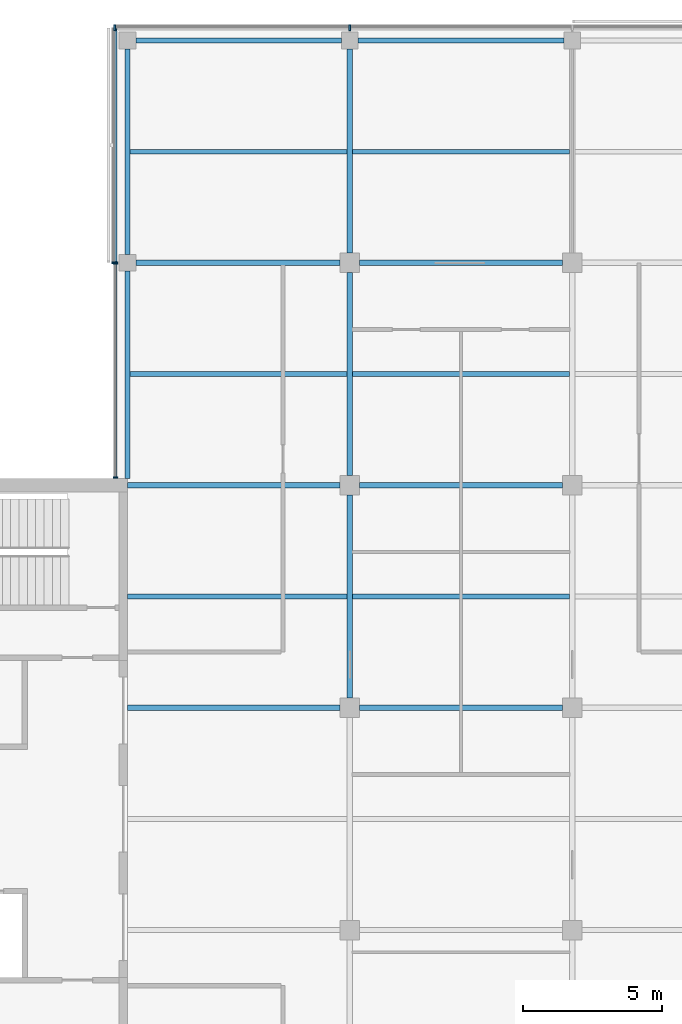
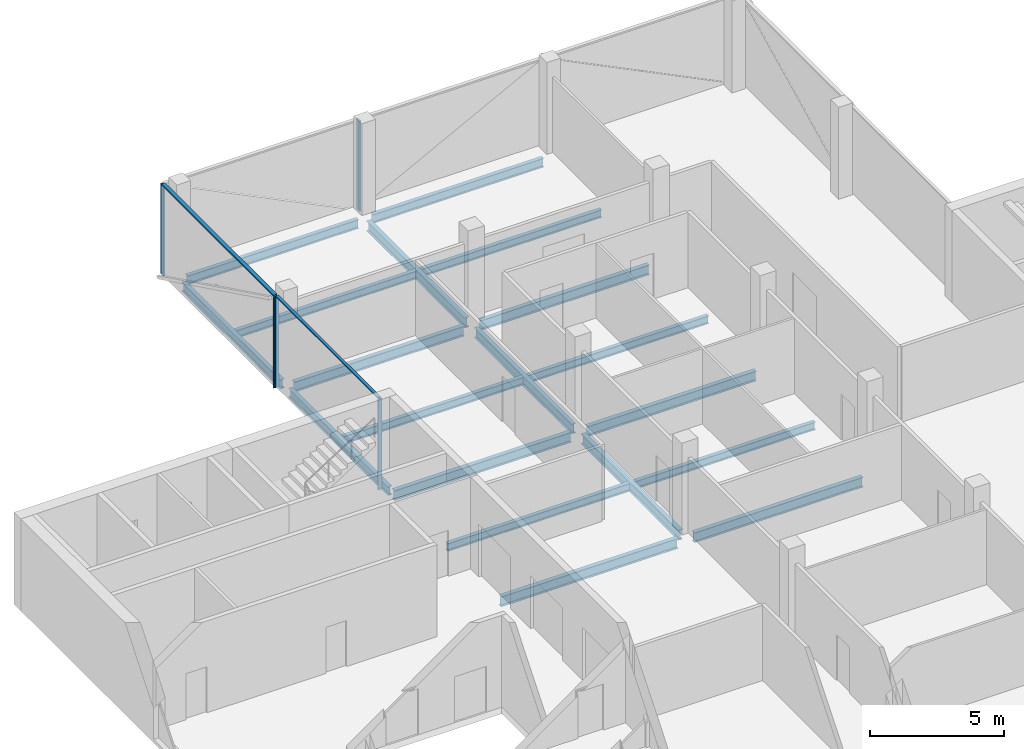
# One storey, part 5 of 15: 19 beams, 7 members, 3 elements without a shape of their own.
"""IFC4 building model written with IfcOpenShell, lengths in metres."""

from ifc_helpers import new_model, si_unit, direction, frame, origin, origin_2d, place, context, subcontext, project, spatial, rectangle, i_section, extrude, material, material_profile, profile_set, type_object, element, aggregate, save


model = new_model("IFC4")

# Units and contexts
model_context = context("Model", 3, precision=1e-05, world=origin(), true_north=direction((0.0, 1.0)))
body_context = subcontext(model_context, "Body", "Model", "MODEL_VIEW")
ifc_project = project(units=[si_unit("LENGTHUNIT", "METRE"), si_unit("AREAUNIT", "SQUARE_METRE"), si_unit("VOLUMEUNIT", "CUBIC_METRE"), si_unit("PLANEANGLEUNIT", "RADIAN"), si_unit("MASSUNIT", "GRAM", prefix="KILO")], contexts=[model_context])

# Site, building, storey
site_placement = place(None, origin())
site = spatial("IfcSite", under=ifc_project, at=site_placement, CompositionType="ELEMENT")
building_placement = place(site_placement, origin())
building = spatial("IfcBuilding", under=site, at=building_placement, Name="Crosswind Convention Tower", CompositionType="ELEMENT")
storey_placement = place(building_placement, frame((0.0, 0.0, 257.699951171875)))
storey = spatial("IfcBuildingStorey", under=building, at=storey_placement, Name="L55", CompositionType="ELEMENT", Elevation=257.699951171875)

# Beams
ifc_material_1 = material(Name="Steel S355", Category="steel")
ifc_material_profile_1 = material_profile(ifc_material_1, i_section(OverallWidth=0.177734375, OverallDepth=0.406494140625, WebThickness=0.0078125, FlangeThickness=0.0126953125, FilletRadius=0.01025390625, at=origin_2d()), Name="UB 406x178x60")
ifc_profile_set_1 = profile_set([ifc_material_profile_1], Name="Steel S355")
beam_type_1 = type_object("IfcBeamType", Name="Edge beam UB 406x178x60", PredefinedType="SPANDREL", material=ifc_profile_set_1)
beam_1_placement = place(storey_placement, frame((113.0, 112.25, -0.503173828125), z_axis=(0.0, 1.0, 0.0), x_axis=(-1.0, 0.0, 0.0)))
element("IfcBeam", 1, at=beam_1_placement, inside=storey, type_object=beam_type_1, Name="B15 L55 edge beam 3", PredefinedType="SPANDREL", context=body_context, shape_type="SweptSolid", body=[
    extrude(i_section(OverallWidth=0.177734375, OverallDepth=0.406494140625, WebThickness=0.0078125, FlangeThickness=0.0126953125, FilletRadius=0.01025390625, at=origin_2d()), origin(), (0.0, 0.0, 1.0), 7.449951171875),
])
for number, where, z_axis, x_axis, name in (
    (2, (113.0, 120.300048828125, -0.503173828125), (0.0, 1.0, 0.0), (-1.0, 0.0, 0.0), "B15 L55 edge beam 4"),
    (3, (113.300048828125, 128.0, -0.503173828125), (1.0, 0.0, 0.0), (0.0, 1.0, 0.0), "B15 L55 edge beam 6"),
    (4, (121.300048828125, 128.0, -0.503173828125), (1.0, 0.0, 0.0), (0.0, 1.0, 0.0), "B15 L55 edge beam 8"),
):
    element("IfcBeam", number, at=place(storey_placement, frame(where, z_axis=z_axis, x_axis=x_axis)), inside=storey, type_object=beam_type_1, Name=name, PredefinedType="SPANDREL", context=body_context, shape_type="SweptSolid", body=[
        extrude(i_section(OverallWidth=0.177734375, OverallDepth=0.406494140625, WebThickness=0.0078125, FlangeThickness=0.0126953125, FilletRadius=0.01025390625, at=origin_2d()), origin(), (0.0, 0.0, 1.0), 7.39990234375),
    ])
ifc_material_profile_2 = material_profile(ifc_material_1, i_section(OverallWidth=0.18994140625, OverallDepth=0.45361328125, WebThickness=0.008544921875, FlangeThickness=0.0126953125, FilletRadius=0.01025390625, at=origin_2d()), Name="UB 457x191x67")
ifc_profile_set_2 = profile_set([ifc_material_profile_2], Name="Steel S355")
beam_type_2 = type_object("IfcBeamType", Name="Girder UB 457x191x67", PredefinedType="BEAM", material=ifc_profile_set_2)
beam_2_placement = place(storey_placement, frame((113.300048828125, 120.0, -0.52685546875), z_axis=(1.0, 0.0, 0.0), x_axis=(0.0, 1.0, 0.0)))
element("IfcBeam", 5, at=beam_2_placement, inside=storey, type_object=beam_type_2, Name="B1 L55 girder 2", PredefinedType="BEAM", context=body_context, shape_type="SweptSolid", body=[
    extrude(i_section(OverallWidth=0.18994140625, OverallDepth=0.45361328125, WebThickness=0.008544921875, FlangeThickness=0.0126953125, FilletRadius=0.01025390625, at=origin_2d()), origin(), (0.0, 0.0, 1.0), 7.349853515625),
])
for number, where, z_axis, x_axis, name in (
    (6, (121.0, 104.35009765625, -0.52685546875), (0.0, 1.0, 0.0), (-1.0, 0.0, 0.0), "B1 L55 girder 7"),
    (7, (121.0, 112.35009765625, -0.52685546875), (0.0, 1.0, 0.0), (-1.0, 0.0, 0.0), "B1 L55 girder 8"),
):
    element("IfcBeam", number, at=place(storey_placement, frame(where, z_axis=z_axis, x_axis=x_axis)), inside=storey, type_object=beam_type_2, Name=name, PredefinedType="BEAM", context=body_context, shape_type="SweptSolid", body=[
        extrude(i_section(OverallWidth=0.18994140625, OverallDepth=0.45361328125, WebThickness=0.008544921875, FlangeThickness=0.0126953125, FilletRadius=0.01025390625, at=origin_2d()), origin(), (0.0, 0.0, 1.0), 7.2998046875),
    ])
beam_3_placement = place(storey_placement, frame((121.0, 120.35009765625, -0.52685546875), z_axis=(0.0, 1.0, 0.0), x_axis=(-1.0, 0.0, 0.0)))
element("IfcBeam", 8, at=beam_3_placement, inside=storey, type_object=beam_type_2, Name="B1 L55 girder 9", PredefinedType="BEAM", context=body_context, shape_type="SweptSolid", body=[
    extrude(i_section(OverallWidth=0.18994140625, OverallDepth=0.45361328125, WebThickness=0.008544921875, FlangeThickness=0.0126953125, FilletRadius=0.01025390625, at=origin_2d()), origin(), (0.0, 0.0, 1.0), 7.349853515625),
])
for number, where, z_axis, x_axis, name in (
    (9, (121.35009765625, 104.0, -0.52685546875), (1.0, 0.0, 0.0), (0.0, 1.0, 0.0), "B1 L55 girder 13"),
    (10, (121.35009765625, 112.0, -0.52685546875), (1.0, 0.0, 0.0), (0.0, 1.0, 0.0), "B1 L55 girder 14"),
    (11, (121.35009765625, 120.0, -0.52685546875), (1.0, 0.0, 0.0), (0.0, 1.0, 0.0), "B1 L55 girder 15"),
):
    element("IfcBeam", number, at=place(storey_placement, frame(where, z_axis=z_axis, x_axis=x_axis)), inside=storey, type_object=beam_type_2, Name=name, PredefinedType="BEAM", context=body_context, shape_type="SweptSolid", body=[
        extrude(i_section(OverallWidth=0.18994140625, OverallDepth=0.45361328125, WebThickness=0.008544921875, FlangeThickness=0.0126953125, FilletRadius=0.01025390625, at=origin_2d()), origin(), (0.0, 0.0, 1.0), 7.2998046875),
    ])
ifc_material_profile_3 = material_profile(ifc_material_1, i_section(OverallWidth=0.1904296875, OverallDepth=0.457275390625, WebThickness=0.009033203125, FlangeThickness=0.014404296875, FilletRadius=0.01025390625, at=origin_2d()), Name="UB 457x191x75")
ifc_profile_set_3 = profile_set([ifc_material_profile_3], Name="Steel S355")
beam_type_3 = type_object("IfcBeamType", Name="Girder at core wall UB 457x191x75", PredefinedType="BEAM", material=ifc_profile_set_3)
for number, where, z_axis, x_axis, name in (
    (12, (113.0, 104.0, -0.528564453125), (1.0, 0.0, 0.0), (0.0, 1.0, 0.0), "B22 L55 girder at core wall 3"),
    (13, (113.0, 112.0, -0.528564453125), (1.0, 0.0, 0.0), (0.0, 1.0, 0.0), "B22 L55 girder at core wall 4"),
):
    element("IfcBeam", number, at=place(storey_placement, frame(where, z_axis=z_axis, x_axis=x_axis)), inside=storey, type_object=beam_type_3, Name=name, PredefinedType="BEAM", context=body_context, shape_type="SweptSolid", body=[
        extrude(i_section(OverallWidth=0.1904296875, OverallDepth=0.457275390625, WebThickness=0.009033203125, FlangeThickness=0.014404296875, FilletRadius=0.01025390625, at=origin_2d()), origin(), (0.0, 0.0, 1.0), 7.64990234375),
    ])

# Curtain wall, members
ifc_material_2 = material(Name="Aluminium unitised curtain wall", Category="aluminium")
curtain_wall_type_1 = type_object("IfcCurtainWallType", Name="CORE END SLOT WALL 160", PredefinedType="USERDEFINED", material=ifc_material_2)
curtain_wall_1_placement = place(storey_placement, origin())
curtain_wall_1 = element("IfcCurtainWall", 14, at=curtain_wall_1_placement, inside=storey, type_object=curtain_wall_type_1, Name="CW6 L55 N-W.1-2 slot", ObjectType="UNITISED", PredefinedType="USERDEFINED")
ifc_material_3 = material(Name="Aluminium mullion", Category="aluminium")
ifc_material_profile_4 = material_profile(ifc_material_3, rectangle(XDim=0.159912109375, YDim=0.050048828125, at=origin_2d()), Name="AL 160X50")
ifc_profile_set_4 = profile_set([ifc_material_profile_4], Name="Aluminium mullion")
member_type_1 = type_object("IfcMemberType", Name="MULLION 50X160", PredefinedType="MULLION", material=ifc_profile_set_4)
member_1_placement = place(storey_placement, frame((112.570068359375, 119.97509765625, -0.300048828125), z_axis=(0.0, 0.0, 1.0), x_axis=(-1.0, 0.0, 0.0)))
member_1 = element("IfcMember", 15, at=member_1_placement, type_object=member_type_1, Name="CW6 mullion 1", PredefinedType="MULLION", context=body_context, shape_type="SweptSolid", body=[
    extrude(rectangle(XDim=0.159912109375, YDim=0.050048828125, at=origin_2d()), origin(), (0.0, 0.0, 1.0), 4.150146484375),
])
member_2_placement = place(storey_placement, frame((112.570068359375, 112.27490234375, -0.300048828125), z_axis=(0.0, 0.0, 1.0), x_axis=(-1.0, 0.0, 0.0)))
member_2 = element("IfcMember", 16, at=member_2_placement, type_object=member_type_1, Name="CW6 mullion 2", PredefinedType="MULLION", context=body_context, shape_type="SweptSolid", body=[
    extrude(rectangle(XDim=0.159912109375, YDim=0.050048828125, at=origin_2d()), origin(), (0.0, 0.0, 1.0), 4.150146484375),
])

curtain_wall_type_2 = type_object("IfcCurtainWallType", Name="OFFICE UNITISED WALL 220", PredefinedType="USERDEFINED", material=ifc_material_2)
curtain_wall_2_placement = place(storey_placement, origin())
curtain_wall_2 = element("IfcCurtainWall", 17, at=curtain_wall_2_placement, inside=storey, type_object=curtain_wall_type_2, Name="CW3 L55 N-TIP 1", ObjectType="UNITISED", PredefinedType="USERDEFINED")
ifc_material_profile_5 = material_profile(ifc_material_3, rectangle(XDim=0.219970703125, YDim=0.070068359375, at=origin_2d()), Name="AL 220X70")
ifc_profile_set_5 = profile_set([ifc_material_profile_5], Name="Aluminium mullion")
member_type_2 = type_object("IfcMemberType", Name="MULLION 70X220", PredefinedType="MULLION", material=ifc_profile_set_5)
member_3_placement = place(storey_placement, frame((121.0, 128.4599609375, -0.300048828125), z_axis=(0.0, 0.0, 1.0), x_axis=(0.0, 1.0, 0.0)))
member_3 = element("IfcMember", 18, at=member_3_placement, type_object=member_type_2, Name="CW3 mullion 3", PredefinedType="MULLION", context=body_context, shape_type="SweptSolid", body=[
    extrude(rectangle(XDim=0.219970703125, YDim=0.070068359375, at=origin_2d()), origin(), (0.0, 0.0, 1.0), 4.130126953125),
])
member_4_placement = place(storey_placement, frame((112.5400390625, 128.4599609375, -0.300048828125), z_axis=(0.0, 0.0, 1.0), x_axis=(0.0, 1.0, 0.0)))
member_4 = element("IfcMember", 19, at=member_4_placement, type_object=member_type_2, Name="CW3 mullion 4", PredefinedType="MULLION", context=body_context, shape_type="SweptSolid", body=[
    extrude(rectangle(XDim=0.219970703125, YDim=0.070068359375, at=origin_2d()), origin(), (0.0, 0.0, 1.0), 4.130126953125),
])
aggregate(curtain_wall_2, [member_3, member_4])

# Curtain wall, member
curtain_wall_3_placement = place(storey_placement, origin())
curtain_wall_3 = element("IfcCurtainWall", 20, at=curtain_wall_3_placement, inside=storey, type_object=curtain_wall_type_2, Name="CW3 L55 N-W 1", ObjectType="UNITISED", PredefinedType="USERDEFINED")
member_5_placement = place(storey_placement, frame((112.5400390625, 120.0, -0.300048828125), z_axis=(0.0, 0.0, 1.0), x_axis=(-1.0, 0.0, 0.0)))
member_5 = element("IfcMember", 21, at=member_5_placement, type_object=member_type_2, Name="CW3 mullion 2", PredefinedType="MULLION", context=body_context, shape_type="SweptSolid", body=[
    extrude(rectangle(XDim=0.219970703125, YDim=0.070068359375, at=origin_2d()), origin(), (0.0, 0.0, 1.0), 4.130126953125),
])

# Beams
ifc_material_profile_6 = material_profile(ifc_material_1, i_section(OverallWidth=0.17138671875, OverallDepth=0.355712890625, WebThickness=0.00732421875, FlangeThickness=0.011474609375, FilletRadius=0.01025390625, at=origin_2d()), Name="UB 356x171x51")
ifc_profile_set_6 = profile_set([ifc_material_profile_6], Name="Steel S355")
beam_type_4 = type_object("IfcBeamType", Name="Secondary beam UB 356x171x51", PredefinedType="JOIST", material=ifc_profile_set_6)
beam_4_placement = place(storey_placement, frame((113.0, 108.0, -0.477783203125), z_axis=(1.0, 0.0, 0.0), x_axis=(0.0, 1.0, 0.0)))
element("IfcBeam", 22, at=beam_4_placement, inside=storey, type_object=beam_type_4, Name="B8 L55 secondary beam 3", PredefinedType="JOIST", context=body_context, shape_type="SweptSolid", body=[
    extrude(i_section(OverallWidth=0.17138671875, OverallDepth=0.355712890625, WebThickness=0.00732421875, FlangeThickness=0.011474609375, FilletRadius=0.01025390625, at=origin_2d()), origin(), (0.0, 0.0, 1.0), 7.905029296875),
])
for number, where, z_axis, x_axis, name in (
    (23, (113.0888671875, 116.0, -0.477783203125), (1.0, 0.0, 0.0), (0.0, 1.0, 0.0), "B8 L55 secondary beam 6"),
    (24, (113.0888671875, 124.0, -0.477783203125), (1.0, 0.0, 0.0), (0.0, 1.0, 0.0), "B8 L55 secondary beam 7"),
):
    element("IfcBeam", number, at=place(storey_placement, frame(where, z_axis=z_axis, x_axis=x_axis)), inside=storey, type_object=beam_type_4, Name=name, PredefinedType="JOIST", context=body_context, shape_type="SweptSolid", body=[
        extrude(i_section(OverallWidth=0.17138671875, OverallDepth=0.355712890625, WebThickness=0.00732421875, FlangeThickness=0.011474609375, FilletRadius=0.01025390625, at=origin_2d()), origin(), (0.0, 0.0, 1.0), 7.816162109375),
    ])
for number, where, z_axis, x_axis, name in (
    (25, (121.094970703125, 108.0, -0.477783203125), (1.0, 0.0, 0.0), (0.0, 1.0, 0.0), "B8 L55 secondary beam 12"),
    (26, (121.094970703125, 116.0, -0.477783203125), (1.0, 0.0, 0.0), (0.0, 1.0, 0.0), "B8 L55 secondary beam 13"),
    (27, (121.094970703125, 124.0, -0.477783203125), (1.0, 0.0, 0.0), (0.0, 1.0, 0.0), "B8 L55 secondary beam 14"),
):
    element("IfcBeam", number, at=place(storey_placement, frame(where, z_axis=z_axis, x_axis=x_axis)), inside=storey, type_object=beam_type_4, Name=name, PredefinedType="JOIST", context=body_context, shape_type="SweptSolid", body=[
        extrude(i_section(OverallWidth=0.17138671875, OverallDepth=0.355712890625, WebThickness=0.00732421875, FlangeThickness=0.011474609375, FilletRadius=0.01025390625, at=origin_2d()), origin(), (0.0, 0.0, 1.0), 7.81005859375),
    ])

# Member
ifc_material_4 = material(Name="Aluminium transom", Category="aluminium")
ifc_material_profile_7 = material_profile(ifc_material_4, rectangle(XDim=0.1201171875, YDim=0.050048828125, at=origin_2d()), Name="AL 120X50")
ifc_profile_set_7 = profile_set([ifc_material_profile_7], Name="Aluminium transom")
member_type_3 = type_object("IfcMemberType", Name="TRANSOM 50X120", PredefinedType="USERDEFINED", material=ifc_profile_set_7)
member_6_placement = place(storey_placement, frame((112.570068359375, 119.949951171875, 3.875), z_axis=(0.0, -1.0, 0.0), x_axis=(1.0, 0.0, 0.0)))
member_6 = element("IfcMember", 28, at=member_6_placement, type_object=member_type_3, Name="CW6 transom", ObjectType="TRANSOM", PredefinedType="USERDEFINED", context=body_context, shape_type="SweptSolid", body=[
    extrude(rectangle(XDim=0.1201171875, YDim=0.050048828125, at=origin_2d()), origin(), (0.0, 0.0, 1.0), 7.64990234375),
])

aggregate(curtain_wall_1, [member_1, member_2, member_6])

ifc_material_profile_8 = material_profile(ifc_material_4, rectangle(XDim=0.159912109375, YDim=0.070068359375, at=origin_2d()), Name="AL 160X70")
ifc_profile_set_8 = profile_set([ifc_material_profile_8], Name="Aluminium transom")
member_type_4 = type_object("IfcMemberType", Name="TRANSOM 70X160", PredefinedType="USERDEFINED", material=ifc_profile_set_8)
member_7_placement = place(storey_placement, frame((112.5400390625, 128.425048828125, 3.864990234375), z_axis=(0.0, -1.0, 0.0), x_axis=(1.0, 0.0, 0.0)))
member_7 = element("IfcMember", 29, at=member_7_placement, type_object=member_type_4, Name="CW3 transom", ObjectType="TRANSOM", PredefinedType="USERDEFINED", context=body_context, shape_type="SweptSolid", body=[
    extrude(rectangle(XDim=0.159912109375, YDim=0.070068359375, at=origin_2d()), origin(), (0.0, 0.0, 1.0), 8.39013671875),
])

aggregate(curtain_wall_3, [member_5, member_7])

save(model, "model.ifc")
